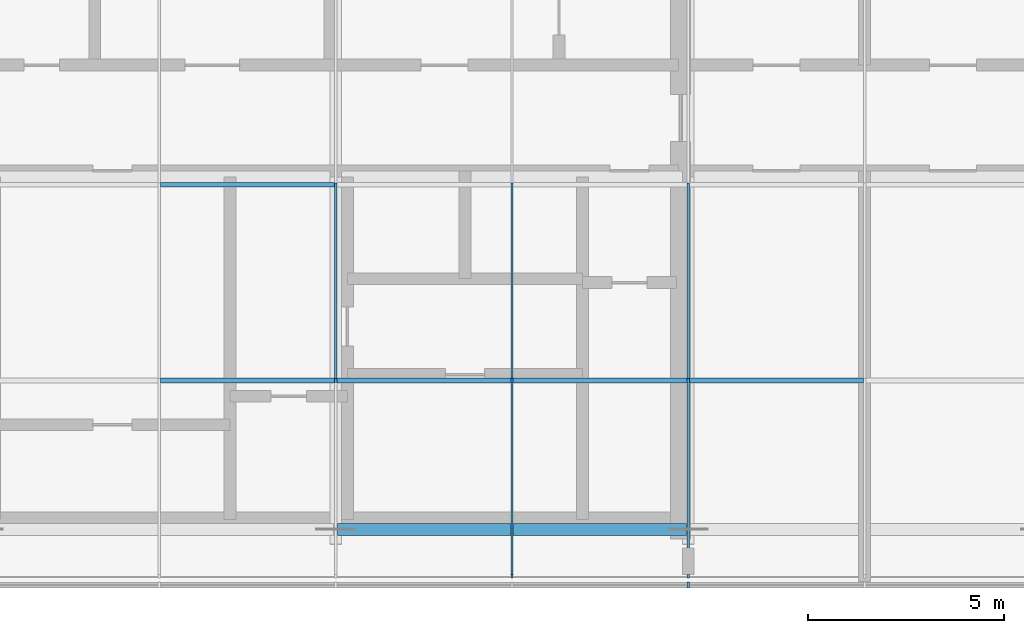
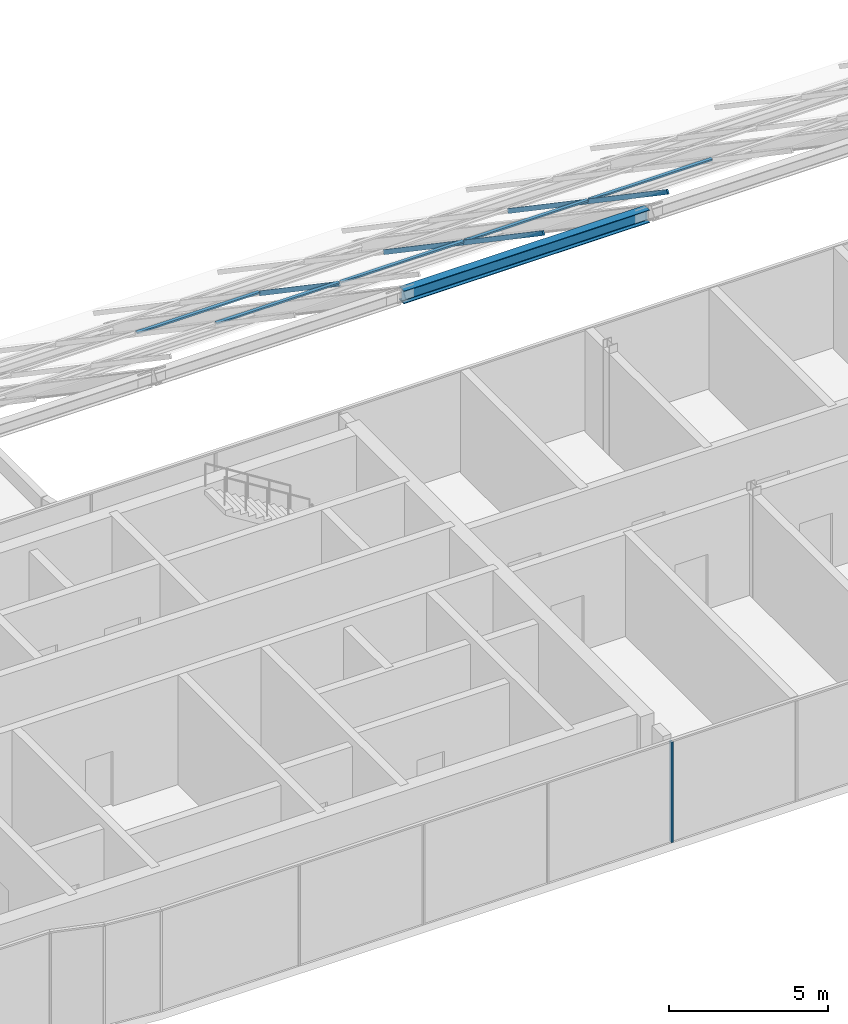
# One storey, part 5 of 25: 12 members, 3 elements without a shape of their own.
"""IFC4 building model written with IfcOpenShell, lengths in metres."""

from ifc_helpers import new_model, si_unit, direction, frame, origin, origin_2d, place, context, subcontext, project, spatial, rectangle, i_section, extrude, material, material_profile, profile_set, type_object, element, aggregate, save


model = new_model("IFC4")

# Units and contexts
model_context = context("Model", 3, precision=1e-05, world=origin(), true_north=direction((0.0, 1.0)))
body_context = subcontext(model_context, "Body", "Model", "MODEL_VIEW")
ifc_project = project(units=[si_unit("LENGTHUNIT", "METRE"), si_unit("AREAUNIT", "SQUARE_METRE"), si_unit("VOLUMEUNIT", "CUBIC_METRE"), si_unit("PLANEANGLEUNIT", "RADIAN"), si_unit("MASSUNIT", "GRAM", prefix="KILO")], contexts=[model_context])

# Site, building, storey
site_placement = place(None, origin())
site = spatial("IfcSite", under=ifc_project, at=site_placement, CompositionType="ELEMENT")
building_placement = place(site_placement, origin())
building = spatial("IfcBuilding", under=site, at=building_placement, Name="Ogive Portal Towers", CompositionType="ELEMENT")
storey_placement = place(building_placement, frame((0.0, 0.0, 272.89990234375)))
storey = spatial("IfcBuildingStorey", under=building, at=storey_placement, Name="L66", CompositionType="ELEMENT", Elevation=272.89990234375)

# Member
ifc_material_1 = material(Name="Steel S355", Category="steel")
ifc_material_profile_1 = material_profile(ifc_material_1, i_section(OverallWidth=0.300048828125, OverallDepth=0.489990234375, WebThickness=0.011962890625, FlangeThickness=0.02294921875, FilletRadius=0.027099609375, at=origin_2d()), Name="HEA 500")
ifc_profile_set_1 = profile_set([ifc_material_profile_1], Name="Steel S355")
member_type_1 = type_object("IfcMemberType", Name="CROWN RIDGE BEAM HEA 500", PredefinedType="STRUT", material=ifc_profile_set_1)
member_1_placement = place(storey_placement, frame((49.550048828125, 21.5, 23.175048828125), z_axis=(1.0, 0.0, 0.0), x_axis=(0.0, 1.0, 0.0)))
element("IfcMember", 1, at=member_1_placement, inside=storey, type_object=member_type_1, Name="Crown ridge", PredefinedType="STRUT", context=body_context, shape_type="SweptSolid", body=[
    extrude(i_section(OverallWidth=0.300048828125, OverallDepth=0.489990234375, WebThickness=0.011962890625, FlangeThickness=0.02294921875, FilletRadius=0.027099609375, at=origin_2d()), origin(), (0.0, 0.0, 1.0), 8.89990234375),
])

# Curtain wall, member
ifc_material_2 = material(Name="Glass, clear low-iron insulated glazing", Category="glass")
curtain_wall_type = type_object("IfcCurtainWallType", Name="CW CROWN GLAZING", PredefinedType="NOTDEFINED", material=ifc_material_2)
curtain_wall_1_placement = place(storey_placement, origin())
curtain_wall_1 = element("IfcCurtainWall", 2, at=curtain_wall_1_placement, inside=storey, type_object=curtain_wall_type, Name="A:L66:c06:cw", PredefinedType="NOTDEFINED")
ifc_material_3 = material(Name="Aluminium 6063 anodised", Category="aluminium")
ifc_material_profile_2 = material_profile(ifc_material_3, rectangle(XDim=0.159912109375, YDim=0.06005859375, at=origin_2d()), Name="AL 60x160")
ifc_profile_set_2 = profile_set([ifc_material_profile_2], Name="Aluminium 6063 anodised")
member_type_2 = type_object("IfcMemberType", Name="CW MULLION 60x160", PredefinedType="MULLION", material=ifc_profile_set_2)
member_2_placement = place(storey_placement, frame((58.5, 20.080078125, 0.0), z_axis=(0.0, 0.0, 1.0), x_axis=(0.0, 1.0, 0.0)))
member_2 = element("IfcMember", 3, at=member_2_placement, type_object=member_type_2, Name="mullion", PredefinedType="MULLION", context=body_context, shape_type="SweptSolid", body=[
    extrude(rectangle(XDim=0.159912109375, YDim=0.06005859375, at=origin_2d()), origin(), (0.0, 0.0, 1.0), 3.840087890625),
])
aggregate(curtain_wall_1, [member_2])

# Curtain wall, members
curtain_wall_2_placement = place(storey_placement, origin())
curtain_wall_2 = element("IfcCurtainWall", 4, at=curtain_wall_2_placement, inside=storey, type_object=curtain_wall_type, Name="Crown roof glazing 2", PredefinedType="NOTDEFINED")
ifc_material_profile_3 = material_profile(ifc_material_3, rectangle(XDim=0.06005859375, YDim=0.159912109375, at=origin_2d()), Name="AL 60x160 rafter")
ifc_profile_set_3 = profile_set([ifc_material_profile_3], Name="Aluminium 6063 anodised")
member_type_3 = type_object("IfcMemberType", Name="CW ROOF RAFTER 60x160", PredefinedType="MULLION", material=ifc_profile_set_3)
member_3_placement = place(storey_placement, frame((49.5, 25.300048828125, 21.33154296875), z_axis=(0.0, 0.82693401206, -0.562298977146), x_axis=(-1.0, 0.0, 0.0)))
member_3 = element("IfcMember", 5, at=member_3_placement, type_object=member_type_3, Name="roof rafter", PredefinedType="MULLION", context=body_context, shape_type="SweptSolid", body=[
    extrude(rectangle(XDim=0.06005859375, YDim=0.159912109375, at=origin_2d()), origin(), (0.0, 0.0, 1.0), 6.04638671875),
])
member_4_placement = place(storey_placement, frame((54.0, 20.300048828125, 24.731689453125), z_axis=(0.0, 0.826915237064, -0.562326587236), x_axis=(-1.0, 0.0, 0.0)))
member_4 = element("IfcMember", 6, at=member_4_placement, type_object=member_type_3, Name="roof rafter", PredefinedType="MULLION", context=body_context, shape_type="SweptSolid", body=[
    extrude(rectangle(XDim=0.06005859375, YDim=0.159912109375, at=origin_2d()), origin(), (0.0, 0.0, 1.0), 6.046630859375),
])
member_5_placement = place(storey_placement, frame((54.0, 25.300048828125, 21.33154296875), z_axis=(0.0, 0.82693401206, -0.562298977146), x_axis=(-1.0, 0.0, 0.0)))
member_5 = element("IfcMember", 7, at=member_5_placement, type_object=member_type_3, Name="roof rafter", PredefinedType="MULLION", context=body_context, shape_type="SweptSolid", body=[
    extrude(rectangle(XDim=0.06005859375, YDim=0.159912109375, at=origin_2d()), origin(), (0.0, 0.0, 1.0), 6.04638671875),
])

curtain_wall_3_placement = place(storey_placement, origin())
curtain_wall_3 = element("IfcCurtainWall", 8, at=curtain_wall_3_placement, inside=storey, type_object=curtain_wall_type, Name="Crown roof glazing 3", PredefinedType="NOTDEFINED")
member_6_placement = place(storey_placement, frame((58.5, 20.300048828125, 24.731689453125), z_axis=(0.0, 0.826915237064, -0.562326587236), x_axis=(-1.0, 0.0, 0.0)))
member_6 = element("IfcMember", 9, at=member_6_placement, type_object=member_type_3, Name="roof rafter", PredefinedType="MULLION", context=body_context, shape_type="SweptSolid", body=[
    extrude(rectangle(XDim=0.06005859375, YDim=0.159912109375, at=origin_2d()), origin(), (0.0, 0.0, 1.0), 6.046630859375),
])
member_7_placement = place(storey_placement, frame((58.5, 25.300048828125, 21.33154296875), z_axis=(0.0, 0.82693401206, -0.562298977146), x_axis=(-1.0, 0.0, 0.0)))
member_7 = element("IfcMember", 10, at=member_7_placement, type_object=member_type_3, Name="roof rafter", PredefinedType="MULLION", context=body_context, shape_type="SweptSolid", body=[
    extrude(rectangle(XDim=0.06005859375, YDim=0.159912109375, at=origin_2d()), origin(), (0.0, 0.0, 1.0), 6.04638671875),
])

# Member
ifc_material_profile_4 = material_profile(ifc_material_3, rectangle(XDim=0.1201171875, YDim=0.06005859375, at=origin_2d()), Name="AL 120x60")
ifc_profile_set_4 = profile_set([ifc_material_profile_4], Name="Aluminium 6063 anodised")
member_type_4 = type_object("IfcMemberType", Name="CW TRANSOM 60x120", PredefinedType="USERDEFINED", material=ifc_profile_set_4)
member_8_placement = place(storey_placement, frame((45.030029296875, 25.300048828125, 21.39208984375), z_axis=(1.0, 0.0, 0.0), x_axis=(0.0, 1.0, 0.0)))
member_8 = element("IfcMember", 11, at=member_8_placement, type_object=member_type_4, Name="roof transom", ObjectType="TRANSOM", PredefinedType="USERDEFINED", context=body_context, shape_type="SweptSolid", body=[
    extrude(rectangle(XDim=0.1201171875, YDim=0.06005859375, at=origin_2d()), origin(), (0.0, 0.0, 1.0), 4.43994140625),
])

member_9_placement = place(storey_placement, frame((49.530029296875, 25.300048828125, 21.39208984375), z_axis=(1.0, 0.0, 0.0), x_axis=(0.0, 1.0, 0.0)))
member_9 = element("IfcMember", 12, at=member_9_placement, type_object=member_type_4, Name="roof transom", ObjectType="TRANSOM", PredefinedType="USERDEFINED", context=body_context, shape_type="SweptSolid", body=[
    extrude(rectangle(XDim=0.1201171875, YDim=0.06005859375, at=origin_2d()), origin(), (0.0, 0.0, 1.0), 4.43994140625),
])

member_10_placement = place(storey_placement, frame((45.030029296875, 30.300048828125, 17.9921875), z_axis=(1.0, 0.0, 0.0), x_axis=(0.0, 1.0, 0.0)))
member_10 = element("IfcMember", 13, at=member_10_placement, type_object=member_type_4, Name="roof transom", ObjectType="TRANSOM", PredefinedType="USERDEFINED", context=body_context, shape_type="SweptSolid", body=[
    extrude(rectangle(XDim=0.1201171875, YDim=0.06005859375, at=origin_2d()), origin(), (0.0, 0.0, 1.0), 4.43994140625),
])

aggregate(curtain_wall_2, [member_3, member_4, member_5, member_8, member_9, member_10])

member_11_placement = place(storey_placement, frame((54.030029296875, 25.300048828125, 21.39208984375), z_axis=(1.0, 0.0, 0.0), x_axis=(0.0, 1.0, 0.0)))
member_11 = element("IfcMember", 14, at=member_11_placement, type_object=member_type_4, Name="roof transom", ObjectType="TRANSOM", PredefinedType="USERDEFINED", context=body_context, shape_type="SweptSolid", body=[
    extrude(rectangle(XDim=0.1201171875, YDim=0.06005859375, at=origin_2d()), origin(), (0.0, 0.0, 1.0), 4.43994140625),
])

member_12_placement = place(storey_placement, frame((58.530029296875, 25.300048828125, 21.39208984375), z_axis=(1.0, 0.0, 0.0), x_axis=(0.0, 1.0, 0.0)))
member_12 = element("IfcMember", 15, at=member_12_placement, type_object=member_type_4, Name="roof transom", ObjectType="TRANSOM", PredefinedType="USERDEFINED", context=body_context, shape_type="SweptSolid", body=[
    extrude(rectangle(XDim=0.1201171875, YDim=0.06005859375, at=origin_2d()), origin(), (0.0, 0.0, 1.0), 4.43994140625),
])

aggregate(curtain_wall_3, [member_6, member_7, member_11, member_12])

save(model, "model.ifc")
